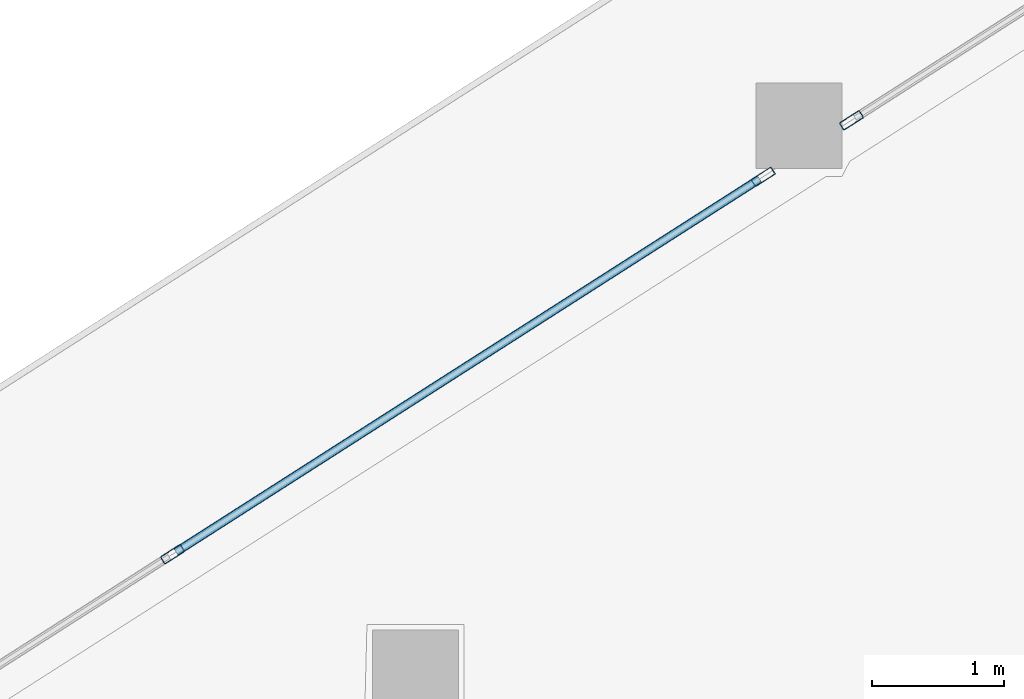
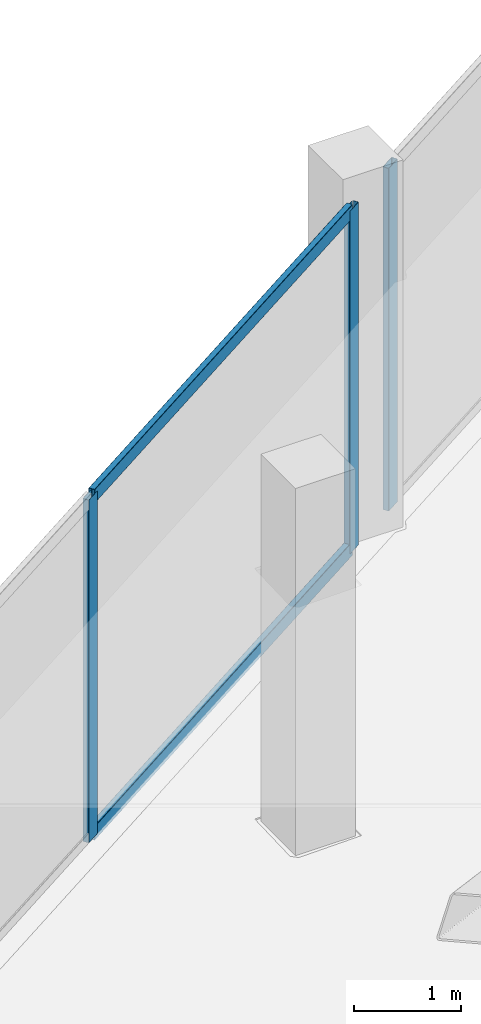
# One storey, part 20 of 43: 5 members, 2 elements without a shape of their own.
"""IFC4 building model written with IfcOpenShell, lengths in metres."""

from ifc_helpers import new_model, si_unit, direction, frame, origin, origin_2d, place, context, subcontext, project, spatial, hollow_rectangle, extrude, material, layer, layer_set, material_profile, profile_set, type_object, element, aggregate, save


model = new_model("IFC4")

# Units and contexts
model_context = context("Model", 3, precision=1e-05, world=origin(), true_north=direction((0.0, 1.0)))
body_context = subcontext(model_context, "Body", "Model", "MODEL_VIEW")
ifc_project = project(units=[si_unit("LENGTHUNIT", "METRE"), si_unit("AREAUNIT", "SQUARE_METRE"), si_unit("VOLUMEUNIT", "CUBIC_METRE"), si_unit("PLANEANGLEUNIT", "RADIAN"), si_unit("MASSUNIT", "GRAM", prefix="KILO")], contexts=[model_context])

# Site, building, storey
site_placement = place(None, origin())
site = spatial("IfcSite", under=ifc_project, at=site_placement, CompositionType="ELEMENT")
building_placement = place(site_placement, origin())
building = spatial("IfcBuilding", under=site, at=building_placement, Name="Qorvath Tower", CompositionType="ELEMENT")
storey_placement = place(building_placement, frame((0.0, 0.0, 36.60009765625)))
storey = spatial("IfcBuildingStorey", under=building, at=storey_placement, Name="L07", CompositionType="ELEMENT", Elevation=36.60009765625)

# Curtain wall, member
ifc_material_1 = material(Name="Anodised aluminium and triple low-E glass", Category="aluminium")
ifc_layer = layer(ifc_material_1, 0.179931640625)
ifc_layer_set = layer_set([ifc_layer], Name="CW-SYS-2")
curtain_wall_type = type_object("IfcCurtainWallType", Name="CW-SYS-2", PredefinedType="NOTDEFINED", material=ifc_layer_set)
curtain_wall_1_placement = place(storey_placement, origin())
curtain_wall_1 = element("IfcCurtainWall", 1, at=curtain_wall_1_placement, inside=storey, type_object=curtain_wall_type, Name="Curtain Wall CW-2 CW-T-L07-16.1", PredefinedType="NOTDEFINED")
ifc_material_2 = material(Name="Anodised aluminium 6063-T6", Category="aluminium")
ifc_material_profile_1 = material_profile(ifc_material_2, hollow_rectangle(XDim=0.06494140625, YDim=0.179931640625, WallThickness=0.00341796875, InnerFilletRadius=0.00341796875, OuterFilletRadius=0.007080078125, at=origin_2d()), Name="CWM 180x65")
ifc_profile_set_1 = profile_set([ifc_material_profile_1], Name="Anodised aluminium 6063-T6")
member_type_1 = type_object("IfcMemberType", Name="CWM-180", PredefinedType="MULLION", material=ifc_profile_set_1)
member_1_placement = place(storey_placement, frame((-21.73388671875, 29.24609375, 0.0), z_axis=(0.0, 0.0, 1.0), x_axis=(0.538538747669, -0.842600746059, 0.0)))
member_1 = element("IfcMember", 2, at=member_1_placement, type_object=member_type_1, Name="CW-2 mullion 3", PredefinedType="MULLION", context=body_context, shape_type="SweptSolid", body=[
    extrude(hollow_rectangle(XDim=0.06494140625, YDim=0.179931640625, WallThickness=0.00341796875, InnerFilletRadius=0.00341796875, OuterFilletRadius=0.007080078125, at=origin_2d()), origin(), (0.0, 0.0, 1.0), 3.919921875),
])
aggregate(curtain_wall_1, [member_1])

# Curtain wall, members
curtain_wall_2_placement = place(storey_placement, origin())
curtain_wall_2 = element("IfcCurtainWall", 3, at=curtain_wall_2_placement, inside=storey, type_object=curtain_wall_type, Name="Curtain Wall CW-2 CW-T-L07-16.2", PredefinedType="NOTDEFINED")
member_2_placement = place(storey_placement, frame((-22.4033203125, 28.818115234375, 0.0), z_axis=(0.0, 0.0, 1.0), x_axis=(0.538534725955, -0.842603316479, 0.0)))
member_2 = element("IfcMember", 4, at=member_2_placement, type_object=member_type_1, Name="CW-2 mullion 1", PredefinedType="MULLION", context=body_context, shape_type="SweptSolid", body=[
    extrude(hollow_rectangle(XDim=0.06494140625, YDim=0.179931640625, WallThickness=0.00341796875, InnerFilletRadius=0.00341796875, OuterFilletRadius=0.007080078125, at=origin_2d()), origin(), (0.0, 0.0, 1.0), 3.919921875),
])
member_3_placement = place(storey_placement, frame((-26.878173828125, 25.958251953125, 0.0), z_axis=(0.0, 0.0, 1.0), x_axis=(0.538534725955, -0.842603316479, 0.0)))
member_3 = element("IfcMember", 5, at=member_3_placement, type_object=member_type_1, Name="CW-2 mullion 2", PredefinedType="MULLION", context=body_context, shape_type="SweptSolid", body=[
    extrude(hollow_rectangle(XDim=0.06494140625, YDim=0.179931640625, WallThickness=0.00341796875, InnerFilletRadius=0.00341796875, OuterFilletRadius=0.007080078125, at=origin_2d()), origin(), (0.0, 0.0, 1.0), 3.919921875),
])
ifc_material_3 = material(Name="Anodised aluminium 6063-T6", Category="aluminium")
ifc_material_profile_2 = material_profile(ifc_material_3, hollow_rectangle(XDim=0.06494140625, YDim=0.159912109375, WallThickness=0.00341796875, InnerFilletRadius=0.00341796875, OuterFilletRadius=0.007080078125, at=origin_2d()), Name="CWT 160x65")
ifc_profile_set_2 = profile_set([ifc_material_profile_2], Name="Anodised aluminium 6063-T6")
member_type_2 = type_object("IfcMemberType", Name="CWT-160", PredefinedType="USERDEFINED", material=ifc_profile_set_2)
member_4_placement = place(storey_placement, frame((-22.4306640625, 28.80078125, 0.032470703125), z_axis=(-0.842592429827, -0.53855175907, 0.0), x_axis=(0.53855175907, -0.842592429827, 0.0)))
member_4 = element("IfcMember", 6, at=member_4_placement, type_object=member_type_2, Name="CW-2 transom 1.1", ObjectType="TRANSOM", PredefinedType="USERDEFINED", context=body_context, shape_type="SweptSolid", body=[
    extrude(hollow_rectangle(XDim=0.06494140625, YDim=0.159912109375, WallThickness=0.00341796875, InnerFilletRadius=0.00341796875, OuterFilletRadius=0.007080078125, at=origin_2d()), origin(), (0.0, 0.0, 1.0), 5.245849609375),
])
member_5_placement = place(storey_placement, frame((-22.4306640625, 28.80078125, 3.887451171875), z_axis=(-0.842592429827, -0.53855175907, 0.0), x_axis=(0.53855175907, -0.842592429827, 0.0)))
member_5 = element("IfcMember", 7, at=member_5_placement, type_object=member_type_2, Name="CW-2 transom 1.2", ObjectType="TRANSOM", PredefinedType="USERDEFINED", context=body_context, shape_type="SweptSolid", body=[
    extrude(hollow_rectangle(XDim=0.06494140625, YDim=0.159912109375, WallThickness=0.00341796875, InnerFilletRadius=0.00341796875, OuterFilletRadius=0.007080078125, at=origin_2d()), origin(), (0.0, 0.0, 1.0), 5.245849609375),
])
aggregate(curtain_wall_2, [member_2, member_3, member_4, member_5])

save(model, "model.ifc")
